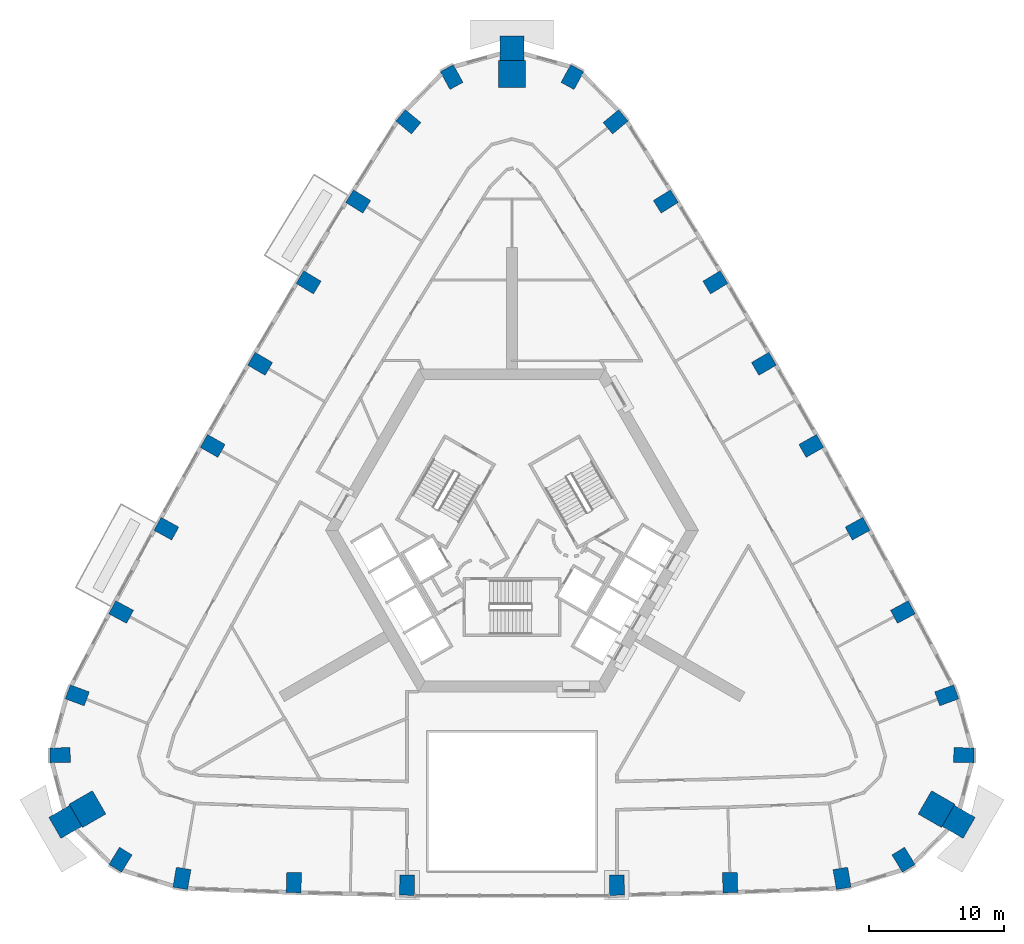
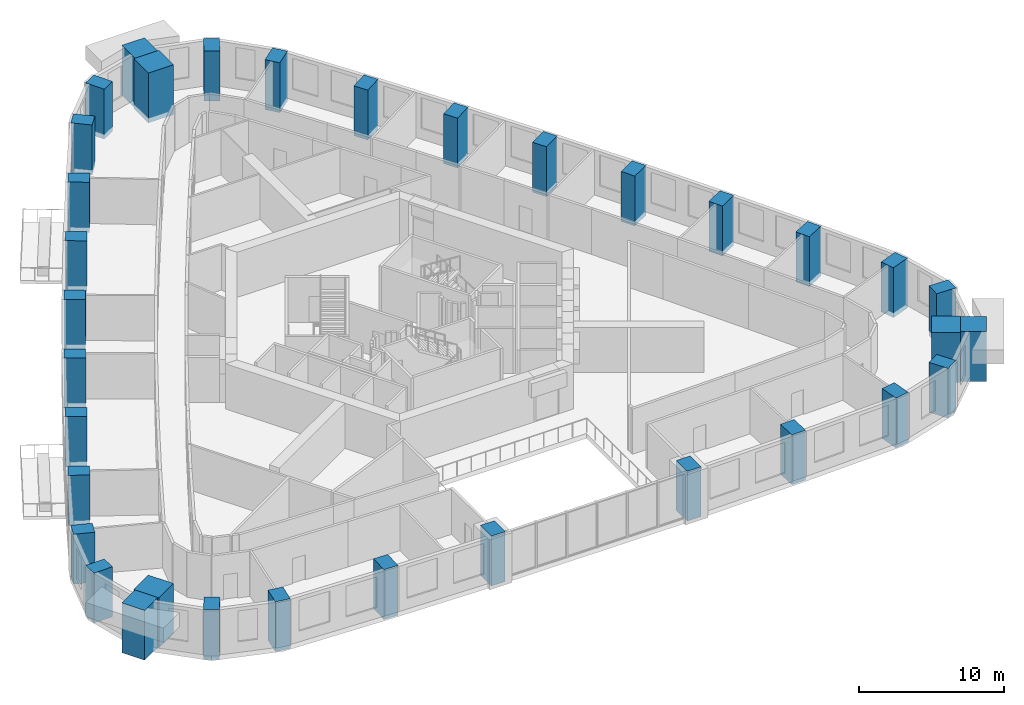
# One storey, part 1 of 14: 34 columns.
"""IFC4 building model written with IfcOpenShell, lengths in metres."""

from ifc_helpers import new_model, si_unit, direction, frame, origin, origin_2d, place, context, subcontext, project, spatial, rectangle, extrude, material, material_profile, profile_set, type_object, element, save


model = new_model("IFC4")

# Units and contexts
model_context = context("Model", 3, precision=1e-05, world=origin(), true_north=direction((0.0, 1.0)))
body_context = subcontext(model_context, "Body", "Model", "MODEL_VIEW")
ifc_project = project(units=[si_unit("LENGTHUNIT", "METRE"), si_unit("AREAUNIT", "SQUARE_METRE"), si_unit("VOLUMEUNIT", "CUBIC_METRE"), si_unit("PLANEANGLEUNIT", "RADIAN"), si_unit("MASSUNIT", "GRAM", prefix="KILO")], contexts=[model_context])

# Site, building, storey
site_placement = place(None, origin())
site = spatial("IfcSite", under=ifc_project, at=site_placement, CompositionType="ELEMENT")
building_placement = place(site_placement, origin())
building = spatial("IfcBuilding", under=site, at=building_placement, Name="Entoto Arch Interchange Tower", CompositionType="ELEMENT")
storey_placement = place(building_placement, frame((0.0, 0.0, 159.199951171875)))
storey = spatial("IfcBuildingStorey", under=building, at=storey_placement, Name="L35", CompositionType="ELEMENT", Elevation=159.199951171875)

# Columns
ifc_material_1 = material(Name="Concrete C50/60", Category="concrete")
ifc_material_profile_1 = material_profile(ifc_material_1, rectangle(XDim=1.10009765625, YDim=1.5, at=origin_2d()))
ifc_profile_set_1 = profile_set([ifc_material_profile_1], Name="Concrete C50/60")
column_type_1 = type_object("IfcColumnType", Name="Column RC 1100x1500 C50/60", PredefinedType="COLUMN", material=ifc_profile_set_1)
for number, where, z_axis, x_axis, name in (
    (1, (-24.51806640625, -23.35498046875, -0.39990234375), (0.0, 0.0, 1.0), (-0.985753417505, 0.168196908046, 0.0), "Column S01 L35"),
    (2, (-16.205078125, -23.666015625, -0.39990234375), (0.0, 0.0, 1.0), (-0.999496089207, 0.031742206272, 0.0), "Column S02 L35"),
    (3, (-7.7890625, -23.85693359375, -0.39990234375), (0.0, 0.0, 1.0), (-0.999931015761, 0.011745795767, 0.0), "Column S03 L35"),
    (4, (7.7890625, -23.85693359375, -0.39990234375), (0.0, 0.0, 1.0), (0.999931015761, 0.011745795767, 0.0), "Column S04 L35"),
    (5, (16.205078125, -23.666015625, -0.39990234375), (0.0, 0.0, 1.0), (0.999496089207, 0.031742206272, 0.0), "Column S05 L35"),
    (6, (24.51806640625, -23.35498046875, -0.39990234375), (0.0, 0.0, 1.0), (0.985753417505, 0.168196908046, 0.0), "Column S06 L35"),
    (7, (29.08203125, -21.967041015625, -0.39990234375), (0.0, 0.0, 1.0), (0.853714435155, 0.520741455243, 0.0), "Column SE1 L35"),
    (8, (33.56494140625, -14.201904296875, -0.39990234375), (0.0, 0.0, 1.0), (0.024118111467, 0.999709116043, 0.0), "Column SE3 L35"),
    (9, (32.2919921875, -9.758056640625, -0.39990234375), (0.0, 0.0, 1.0), (-0.346591874029, 0.93801603017, 0.0), "Column NE01 L35"),
    (10, (29.033935546875, -3.571044921875, -0.39990234375), (0.0, 0.0, 1.0), (-0.469856776649, 0.882742663202, 0.0), "Column NE02 L35"),
    (11, (25.673095703125, 2.6220703125, -0.39990234375), (0.0, 0.0, 1.0), (-0.481983074142, 0.876180527198, 0.0), "Column NE03 L35"),
    (12, (22.23193359375, 8.76904296875, -0.39990234375), (0.0, 0.0, 1.0), (-0.49401774245, 0.869451821635, 0.0), "Column NE04 L35"),
    (13, (18.7099609375, 14.8701171875, -0.39990234375), (0.0, 0.0, 1.0), (-0.505958493678, 0.8625578257, 0.0), "Column NE05 L35"),
    (14, (15.10693359375, 20.923095703125, -0.39990234375), (0.0, 0.0, 1.0), (-0.517803057784, 0.85549985, 0.0), "Column NE06 L35"),
    (15, (11.425048828125, 26.927978515625, -0.39990234375), (0.0, 0.0, 1.0), (-0.529549183013, 0.848279236319, 0.0), "Column NE07 L35"),
    (16, (7.695068359375, 32.844970703125, -0.39990234375), (0.0, 0.0, 1.0), (-0.63904977427, 0.76916538274, 0.0), "Column NE08 L35"),
    (17, (4.48291015625, 36.1689453125, -0.39990234375), (0.0, 0.0, 1.0), (-0.877832546621, 0.4789676608, 0.0), "Column N1 L35"),
    (18, (-4.48291015625, 36.1689453125, -0.39990234375), (0.0, 0.0, 1.0), (0.877832546621, 0.4789676608, 0.0), "Column N3 L35"),
    (19, (-7.695068359375, 32.844970703125, -0.39990234375), (0.0, 0.0, 1.0), (0.63904977427, 0.76916538274, 0.0), "Column NW01 L35"),
    (20, (-11.425048828125, 26.927978515625, -0.39990234375), (0.0, 0.0, 1.0), (0.529549183013, 0.848279236319, 0.0), "Column NW02 L35"),
    (21, (-15.10693359375, 20.923095703125, -0.39990234375), (0.0, 0.0, 1.0), (0.517803057784, 0.85549985, 0.0), "Column NW03 L35"),
    (22, (-18.7099609375, 14.8701171875, -0.39990234375), (0.0, 0.0, 1.0), (0.505958493678, 0.8625578257, 0.0), "Column NW04 L35"),
    (23, (-22.23193359375, 8.76904296875, -0.39990234375), (0.0, 0.0, 1.0), (0.49401774245, 0.869451821635, 0.0), "Column NW05 L35"),
    (24, (-25.673095703125, 2.6220703125, -0.39990234375), (0.0, 0.0, 1.0), (0.481983074142, 0.876180527198, 0.0), "Column NW06 L35"),
    (25, (-29.033935546875, -3.571044921875, -0.39990234375), (0.0, 0.0, 1.0), (0.469856776649, 0.882742663202, 0.0), "Column NW07 L35"),
    (26, (-32.2919921875, -9.758056640625, -0.39990234375), (0.0, 0.0, 1.0), (0.346591874029, 0.93801603017, 0.0), "Column NW08 L35"),
    (27, (-33.56494140625, -14.201904296875, -0.39990234375), (0.0, 0.0, 1.0), (-0.024118111467, 0.999709116043, 0.0), "Column SW1 L35"),
    (28, (-29.08203125, -21.967041015625, -0.39990234375), (0.0, 0.0, 1.0), (-0.853714435155, 0.520741455243, 0.0), "Column SW3 L35"),
):
    element("IfcColumn", number, at=place(storey_placement, frame(where, z_axis=z_axis, x_axis=x_axis)), inside=storey, type_object=column_type_1, Name=name, PredefinedType="COLUMN", context=body_context, shape_type="SweptSolid", body=[
        extrude(rectangle(XDim=1.10009765625, YDim=1.5, at=origin_2d()), origin(), (0.0, 0.0, 1.0), 4.199951171875),
    ])
ifc_material_2 = material(Name="Precast concrete C40/50", Category="concrete")
ifc_material_profile_2 = material_profile(ifc_material_2, rectangle(XDim=1.800048828125, YDim=1.800048828125, at=origin_2d()))
ifc_profile_set_2 = profile_set([ifc_material_profile_2], Name="Precast concrete C40/50")
column_type_2 = type_object("IfcColumnType", Name="Frame post RC 1800x1800 precast C40/50", PredefinedType="COLUMN", material=ifc_profile_set_2)
for number, where, z_axis, x_axis, name in (
    (29, (33.179931640625, -19.156005859375, -0.39990234375), (0.0, 0.0, 1.0), (-0.866025403784, 0.5, 0.0), "Frame post SE L35"),
    (30, (0.0, 38.31201171875, -0.39990234375), (0.0, 0.0, 1.0), (0.0, 1.0, 0.0), "Frame post N L35"),
    (31, (-33.179931640625, -19.156005859375, -0.39990234375), (0.0, 0.0, 1.0), (0.866025403784, 0.5, 0.0), "Frame post SW L35"),
):
    element("IfcColumn", number, at=place(storey_placement, frame(where, z_axis=z_axis, x_axis=x_axis)), inside=storey, type_object=column_type_2, Name=name, PredefinedType="COLUMN", context=body_context, shape_type="SweptSolid", body=[
        extrude(rectangle(XDim=1.800048828125, YDim=1.800048828125, at=origin_2d()), origin(), (0.0, 0.0, 1.0), 4.199951171875),
    ])
ifc_material_profile_3 = material_profile(ifc_material_1, rectangle(XDim=2.0, YDim=2.0, at=origin_2d()))
ifc_profile_set_3 = profile_set([ifc_material_profile_3], Name="Concrete C50/60")
column_type_3 = type_object("IfcColumnType", Name="Mega column RC 2000x2000 C50/60", PredefinedType="COLUMN", material=ifc_profile_set_3)
for number, where, z_axis, x_axis, name in (
    (32, (31.534912109375, -18.2060546875, -0.39990234375), (0.0, 0.0, 1.0), (-0.866025403784, 0.5, 0.0), "Corner mega column SE2 L35"),
    (33, (0.0, 36.412109375, -0.39990234375), (0.0, 0.0, 1.0), (0.0, 1.0, 0.0), "Corner mega column N2 L35"),
    (34, (-31.534912109375, -18.2060546875, -0.39990234375), (0.0, 0.0, 1.0), (0.866025403784, 0.5, 0.0), "Corner mega column SW2 L35"),
):
    element("IfcColumn", number, at=place(storey_placement, frame(where, z_axis=z_axis, x_axis=x_axis)), inside=storey, type_object=column_type_3, Name=name, PredefinedType="COLUMN", context=body_context, shape_type="SweptSolid", body=[
        extrude(rectangle(XDim=2.0, YDim=2.0, at=origin_2d()), origin(), (0.0, 0.0, 1.0), 4.199951171875),
    ])

save(model, "model.ifc")
